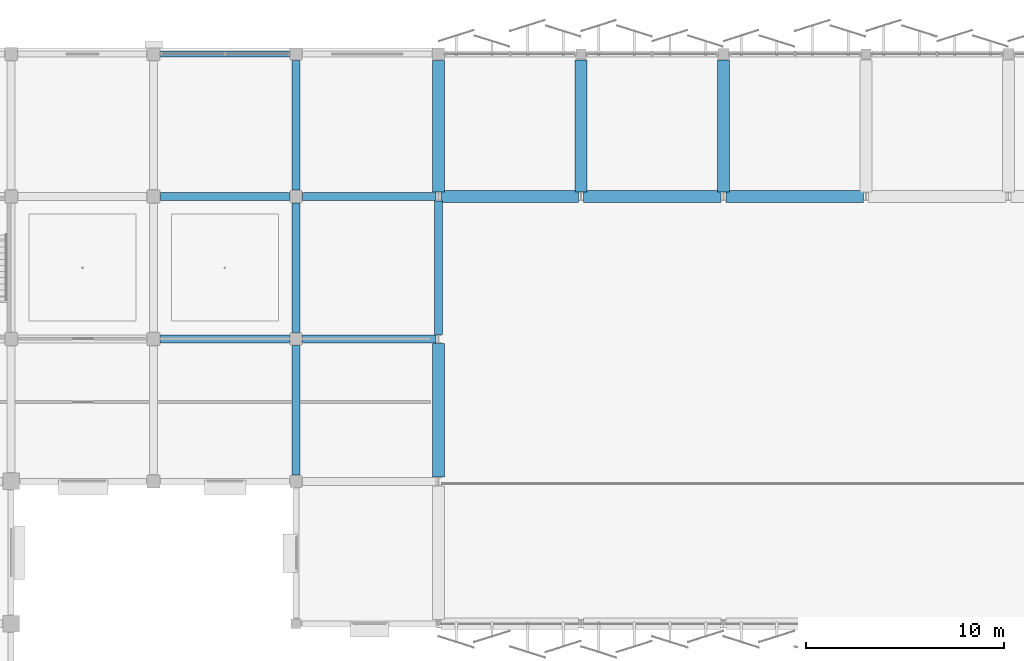
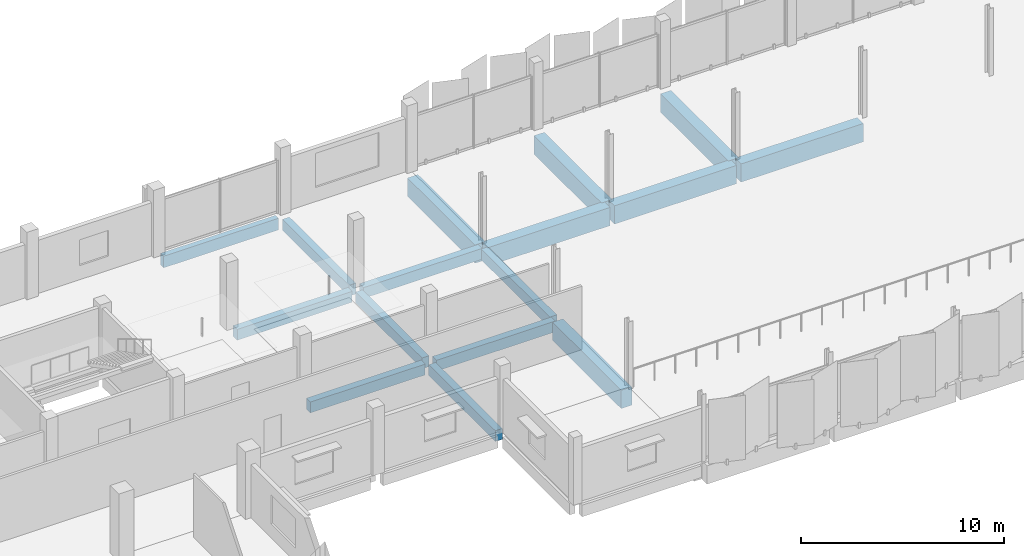
# One storey, part 36 of 107: 16 beams.
"""IFC4 building model written with IfcOpenShell, lengths in metres."""

from ifc_helpers import new_model, si_unit, direction, frame, origin, origin_2d, place, context, subcontext, project, spatial, rectangle, extrude, material, material_profile, profile_set, type_object, element, save


model = new_model("IFC4")

# Units and contexts
model_context = context("Model", 3, precision=1e-05, world=origin(), true_north=direction((0.0, 1.0)))
body_context = subcontext(model_context, "Body", "Model", "MODEL_VIEW")
ifc_project = project(units=[si_unit("LENGTHUNIT", "METRE"), si_unit("AREAUNIT", "SQUARE_METRE"), si_unit("VOLUMEUNIT", "CUBIC_METRE"), si_unit("PLANEANGLEUNIT", "RADIAN"), si_unit("MASSUNIT", "GRAM", prefix="KILO")], contexts=[model_context])

# Site, building, storey
site_placement = place(None, origin())
site = spatial("IfcSite", under=ifc_project, at=site_placement, CompositionType="ELEMENT")
building_placement = place(site_placement, origin())
building = spatial("IfcBuilding", under=site, at=building_placement, Name="Kangsadwip Square Police Headquarters", CompositionType="ELEMENT")
storey_placement = place(building_placement, frame((0.0, 0.0, 5.39990234375)))
storey = spatial("IfcBuildingStorey", under=building, at=storey_placement, Name="L01", CompositionType="ELEMENT", Elevation=5.39990234375)

# Beams
ifc_material_1 = material(Name="Concrete M35 (35 MPa)", Category="concrete")
ifc_material_profile_1 = material_profile(ifc_material_1, rectangle(XDim=0.39990234375, YDim=0.64990234375, at=origin_2d()), Name="RC BM 650X400")
ifc_profile_set_1 = profile_set([ifc_material_profile_1], Name="Concrete M35 (35 MPa)")
beam_type_1 = type_object("IfcBeamType", Name="RcBeam650x400", PredefinedType="BEAM", material=ifc_profile_set_1)
beam_1_placement = place(storey_placement, frame((29.14990234375, 100.800048828125, -0.56494140625), z_axis=(1.0, 0.0, 0.0), x_axis=(0.0, 1.0, 0.0)))
element("IfcBeam", 1, at=beam_1_placement, inside=storey, type_object=beam_type_1, Name="Beam BM-L01-X-04-14", PredefinedType="BEAM", context=body_context, shape_type="SweptSolid", body=[
    extrude(rectangle(XDim=0.39990234375, YDim=0.64990234375, at=origin_2d()), origin(), (0.0, 0.0, 1.0), 6.525146484375),
])
beam_2_placement = place(storey_placement, frame((36.324951171875, 100.800048828125, -0.56494140625), z_axis=(1.0, 0.0, 0.0), x_axis=(0.0, 1.0, 0.0)))
element("IfcBeam", 2, at=beam_2_placement, inside=storey, type_object=beam_type_1, Name="Beam BM-L01-X-05-14", PredefinedType="BEAM", context=body_context, shape_type="SweptSolid", body=[
    extrude(rectangle(XDim=0.39990234375, YDim=0.64990234375, at=origin_2d()), origin(), (0.0, 0.0, 1.0), 6.75),
])
beam_3_placement = place(storey_placement, frame((29.14990234375, 108.0, -0.56494140625), z_axis=(1.0, 0.0, 0.0), x_axis=(0.0, 1.0, 0.0)))
element("IfcBeam", 3, at=beam_3_placement, inside=storey, type_object=beam_type_1, Name="Beam BM-L01-X-04-15", PredefinedType="BEAM", context=body_context, shape_type="SweptSolid", body=[
    extrude(rectangle(XDim=0.39990234375, YDim=0.64990234375, at=origin_2d()), origin(), (0.0, 0.0, 1.0), 6.525146484375),
])
beam_4_placement = place(storey_placement, frame((36.324951171875, 108.0, -0.56494140625), z_axis=(1.0, 0.0, 0.0), x_axis=(0.0, 1.0, 0.0)))
element("IfcBeam", 4, at=beam_4_placement, inside=storey, type_object=beam_type_1, Name="Beam BM-L01-X-05-15", PredefinedType="BEAM", context=body_context, shape_type="SweptSolid", body=[
    extrude(rectangle(XDim=0.39990234375, YDim=0.64990234375, at=origin_2d()), origin(), (0.0, 0.0, 1.0), 6.75),
])
for number, where, z_axis, x_axis, name in (
    (5, (36.0, 93.925048828125, -0.56494140625), (0.0, 1.0, 0.0), (-1.0, 0.0, 0.0), "Beam BM-L01-Y-05-13"),
    (6, (36.0, 101.125, -0.56494140625), (0.0, 1.0, 0.0), (-1.0, 0.0, 0.0), "Beam BM-L01-Y-05-14"),
    (7, (36.0, 108.324951171875, -0.56494140625), (0.0, 1.0, 0.0), (-1.0, 0.0, 0.0), "Beam BM-L01-Y-05-15"),
):
    element("IfcBeam", number, at=place(storey_placement, frame(where, z_axis=z_axis, x_axis=x_axis)), inside=storey, type_object=beam_type_1, Name=name, PredefinedType="BEAM", context=body_context, shape_type="SweptSolid", body=[
        extrude(rectangle(XDim=0.39990234375, YDim=0.64990234375, at=origin_2d()), origin(), (0.0, 0.0, 1.0), 6.550048828125),
    ])
beam_5_placement = place(storey_placement, frame((43.199951171875, 101.02490234375, -0.56494140625), z_axis=(0.0, 1.0, 0.0), x_axis=(-1.0, 0.0, 0.0)))
element("IfcBeam", 8, at=beam_5_placement, inside=storey, type_object=beam_type_1, Name="Beam BM-L01-Y-06-14", PredefinedType="BEAM", context=body_context, shape_type="SweptSolid", body=[
    extrude(rectangle(XDim=0.39990234375, YDim=0.64990234375, at=origin_2d()), origin(), (0.0, 0.0, 1.0), 6.75),
])
ifc_material_2 = material(Name="Concrete M40 (40 MPa)", Category="concrete")
ifc_material_profile_2 = material_profile(ifc_material_2, rectangle(XDim=0.300048828125, YDim=0.699951171875, at=origin_2d()), Name="RC SPN 700X300")
ifc_profile_set_2 = profile_set([ifc_material_profile_2], Name="Concrete M40 (40 MPa)")
beam_type_2 = type_object("IfcBeamType", Name="RcSpandrel700x300", PredefinedType="SPANDREL", material=ifc_profile_set_2)
beam_6_placement = place(storey_placement, frame((29.14990234375, 115.199951171875, -0.58984375), z_axis=(1.0, 0.0, 0.0), x_axis=(0.0, 1.0, 0.0)))
element("IfcBeam", 9, at=beam_6_placement, inside=storey, type_object=beam_type_2, Name="Beam BM-L01-X-04-16", PredefinedType="SPANDREL", context=body_context, shape_type="SweptSolid", body=[
    extrude(rectangle(XDim=0.300048828125, YDim=0.699951171875, at=origin_2d()), origin(), (0.0, 0.0, 1.0), 6.525146484375),
])
ifc_material_3 = material(Name="Concrete M40 (40 MPa)", Category="concrete")
ifc_material_profile_3 = material_profile(ifc_material_3, rectangle(XDim=0.60009765625, YDim=1.10009765625, at=origin_2d()), Name="RC TG 1100X600")
ifc_profile_set_3 = profile_set([ifc_material_profile_3], Name="Concrete M40 (40 MPa)")
beam_type_3 = type_object("IfcBeamType", Name="RcTransfer1100x600", PredefinedType="USERDEFINED", material=ifc_profile_set_3)
beam_7_placement = place(storey_placement, frame((43.324951171875, 108.0, -0.789794921875), z_axis=(1.0, 0.0, 0.0), x_axis=(0.0, 1.0, 0.0)))
element("IfcBeam", 10, at=beam_7_placement, inside=storey, type_object=beam_type_3, Name="Beam BM-L01-X-06-15", ObjectType="TRANSFER_GIRDER", PredefinedType="USERDEFINED", context=body_context, shape_type="SweptSolid", body=[
    extrude(rectangle(XDim=0.60009765625, YDim=1.10009765625, at=origin_2d()), origin(), (0.0, 0.0, 1.0), 6.949951171875),
])
beam_8_placement = place(storey_placement, frame((50.52490234375, 108.0, -0.789794921875), z_axis=(1.0, 0.0, 0.0), x_axis=(0.0, 1.0, 0.0)))
element("IfcBeam", 11, at=beam_8_placement, inside=storey, type_object=beam_type_3, Name="Beam BM-L01-X-07-15", ObjectType="TRANSFER_GIRDER", PredefinedType="USERDEFINED", context=body_context, shape_type="SweptSolid", body=[
    extrude(rectangle(XDim=0.60009765625, YDim=1.10009765625, at=origin_2d()), origin(), (0.0, 0.0, 1.0), 6.9501953125),
])
beam_9_placement = place(storey_placement, frame((57.72509765625, 108.0, -0.789794921875), z_axis=(1.0, 0.0, 0.0), x_axis=(0.0, 1.0, 0.0)))
element("IfcBeam", 12, at=beam_9_placement, inside=storey, type_object=beam_type_3, Name="Beam BM-L01-X-08-15", ObjectType="TRANSFER_GIRDER", PredefinedType="USERDEFINED", context=body_context, shape_type="SweptSolid", body=[
    extrude(rectangle(XDim=0.60009765625, YDim=1.10009765625, at=origin_2d()), origin(), (0.0, 0.0, 1.0), 6.949951171875),
])
beam_10_placement = place(storey_placement, frame((43.199951171875, 93.824951171875, -0.789794921875), z_axis=(0.0, 1.0, 0.0), x_axis=(-1.0, 0.0, 0.0)))
element("IfcBeam", 13, at=beam_10_placement, inside=storey, type_object=beam_type_3, Name="Beam BM-L01-Y-06-13", ObjectType="TRANSFER_GIRDER", PredefinedType="USERDEFINED", context=body_context, shape_type="SweptSolid", body=[
    extrude(rectangle(XDim=0.60009765625, YDim=1.10009765625, at=origin_2d()), origin(), (0.0, 0.0, 1.0), 6.75),
])
beam_11_placement = place(storey_placement, frame((43.199951171875, 108.22509765625, -0.789794921875), z_axis=(0.0, 1.0, 0.0), x_axis=(-1.0, 0.0, 0.0)))
element("IfcBeam", 14, at=beam_11_placement, inside=storey, type_object=beam_type_3, Name="Beam BM-L01-Y-06-15", ObjectType="TRANSFER_GIRDER", PredefinedType="USERDEFINED", context=body_context, shape_type="SweptSolid", body=[
    extrude(rectangle(XDim=0.60009765625, YDim=1.10009765625, at=origin_2d()), origin(), (0.0, 0.0, 1.0), 6.64990234375),
])
for number, where, z_axis, x_axis, name in (
    (15, (50.39990234375, 108.22509765625, -0.789794921875), (0.0, 1.0, 0.0), (-1.0, 0.0, 0.0), "Beam BM-L01-Y-07-15"),
    (16, (57.60009765625, 108.22509765625, -0.789794921875), (0.0, 1.0, 0.0), (-1.0, 0.0, 0.0), "Beam BM-L01-Y-08-15"),
):
    element("IfcBeam", number, at=place(storey_placement, frame(where, z_axis=z_axis, x_axis=x_axis)), inside=storey, type_object=beam_type_3, Name=name, ObjectType="TRANSFER_GIRDER", PredefinedType="USERDEFINED", context=body_context, shape_type="SweptSolid", body=[
        extrude(rectangle(XDim=0.60009765625, YDim=1.10009765625, at=origin_2d()), origin(), (0.0, 0.0, 1.0), 6.6748046875),
    ])

save(model, "model.ifc")
